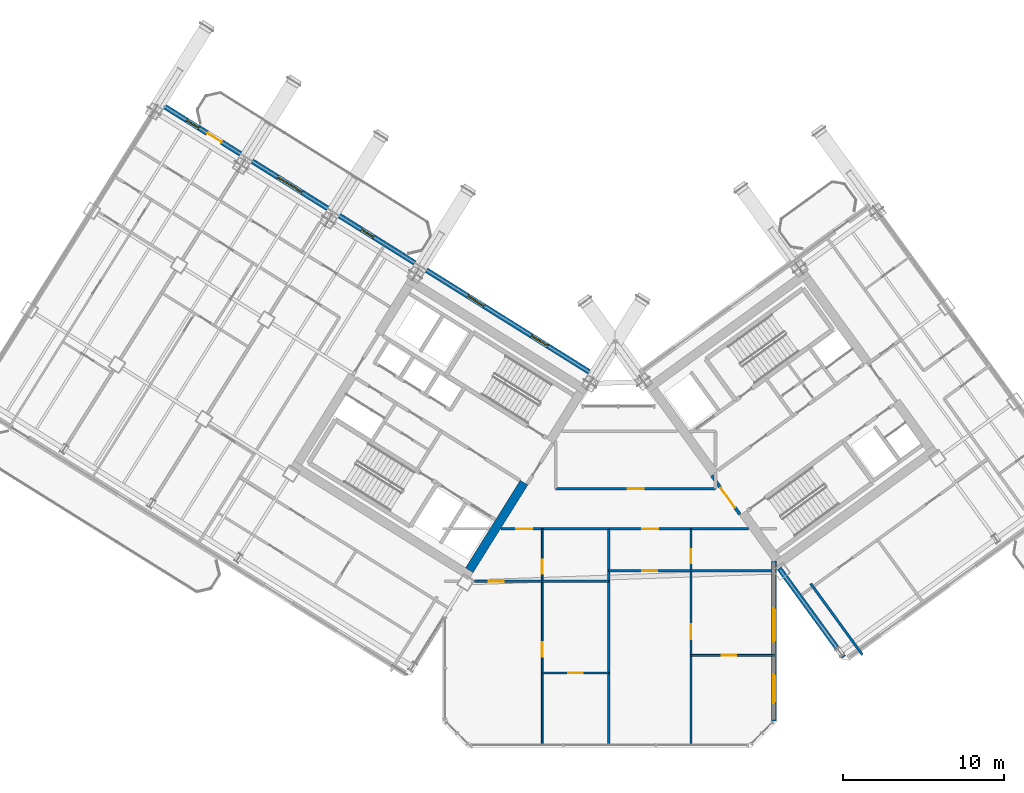
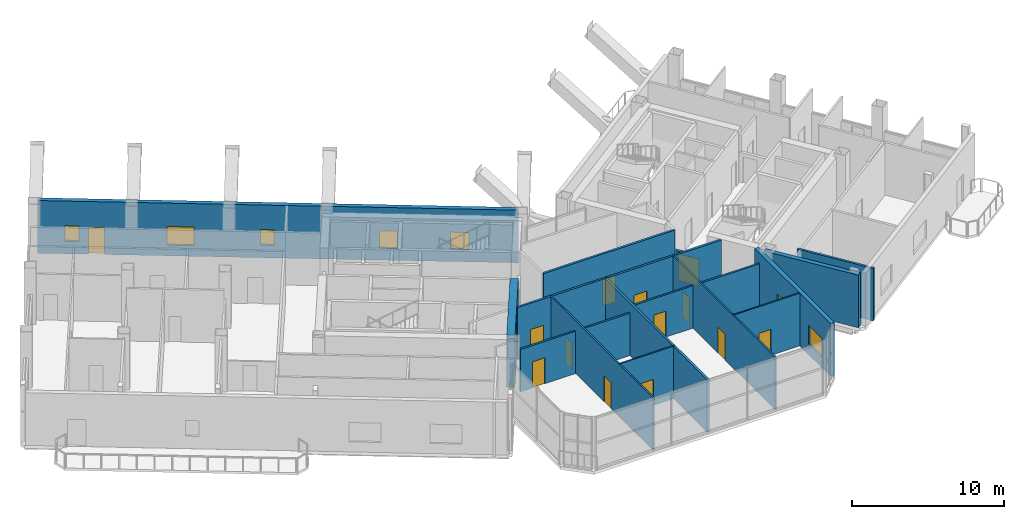
# One storey, part 24 of 34: 17 walls, 13 doors, 7 windows, 20 openings.
"""IFC4 building model written with IfcOpenShell, lengths in metres."""

from ifc_helpers import new_model, si_unit, direction, frame, frame_2d, origin, place, context, subcontext, project, spatial, rectangle, extrude, source, transform, mapped, material, layer, layer_set, type_object, element, fill, save


model = new_model("IFC4")

# Units and contexts
model_context = context("Model", 3, precision=1e-05, world=origin(), true_north=direction((0.0, 1.0)))
body_context = subcontext(model_context, "Body", "Model", "MODEL_VIEW")
ifc_project = project(units=[si_unit("LENGTHUNIT", "METRE"), si_unit("AREAUNIT", "SQUARE_METRE"), si_unit("VOLUMEUNIT", "CUBIC_METRE"), si_unit("PLANEANGLEUNIT", "RADIAN"), si_unit("MASSUNIT", "GRAM", prefix="KILO")], contexts=[model_context])

# Site, building, storey
site_placement = place(None, origin())
site = spatial("IfcSite", under=ifc_project, at=site_placement, CompositionType="ELEMENT")
building_placement = place(site_placement, origin())
building = spatial("IfcBuilding", under=site, at=building_placement, Name="Tlacorven Tower", CompositionType="ELEMENT")
storey_placement = place(building_placement, frame((0.0, 0.0, 174.89990234375)))
storey = spatial("IfcBuildingStorey", under=building, at=storey_placement, Name="L44", CompositionType="ELEMENT", Elevation=174.89990234375)

# Wall
ifc_material_1 = material(Name="Concrete C60/75", Category="concrete")
ifc_layer_1 = layer(ifc_material_1, 0.550048828125)
ifc_layer_set_1 = layer_set([ifc_layer_1], Name="Concrete C60/75")
wall_type_1 = type_object("IfcWallType", Name="WL-COR-550", PredefinedType="SHEAR", material=ifc_layer_set_1)
wall_1_placement = place(storey_placement, frame((36.683349609375, 18.30419921875, 0.0), z_axis=(0.0, 0.0, 1.0), x_axis=(-0.529896466841, -0.848062341122, 0.0)))
element("IfcWall", 1, at=wall_1_placement, inside=storey, type_object=wall_type_1, Name="L44 W core end wall E1.2", PredefinedType="SHEAR", context=body_context, shape_type="SweptSolid", body=[
    extrude(rectangle(XDim=6.4248046875, YDim=0.550048828125, at=frame_2d((3.21240234375, 0.0))), origin(), (0.0, 0.0, 1.0), 4.22021484375),
])

# Wall, openings, doors
ifc_material_2 = material(Name="Gypsum plasterboard acoustic partition", Category="gypsum")
ifc_layer_2 = layer(ifc_material_2, 0.159912109375)
ifc_layer_set_2 = layer_set([ifc_layer_2], Name="Gypsum plasterboard acoustic partition")
wall_type_2 = type_object("IfcWallType", Name="WL-DEM-160", PredefinedType="PARTITIONING", material=ifc_layer_set_2)
wall_2_placement = place(storey_placement, frame((35.2373046875, 15.419921875, 0.0), z_axis=(0.0, 0.0, 1.0), x_axis=(1.0, 0.0, 0.0)))
wall_2 = element("IfcWall", 2, at=wall_2_placement, inside=storey, type_object=wall_type_2, Name="L44 Knuckle Corridor South Wall", PredefinedType="PARTITIONING", context=body_context, shape_type="SweptSolid", body=[
    extrude(rectangle(XDim=15.431640625, YDim=0.159912109375, at=frame_2d((7.7158203125, 0.0))), origin(), (0.0, 0.0, 1.0), 4.210205078125),
])
opening_1_placement = place(wall_2_placement, frame((0.968994140625, 0.0, 0.0)))
opening_1 = element("IfcOpeningElement", 3, at=opening_1_placement, cuts=wall_2, Name="Opening D11", PredefinedType="OPENING", context=body_context, shape_type="SweptSolid", body=[
    extrude(rectangle(XDim=1.0, YDim=2.10009765625, at=frame_2d((0.5, 1.050048828125))), frame((0.0, 0.08984375, 0.0), z_axis=(0.0, -1.0, 0.0), x_axis=(1.0, 0.0, 0.0)), (0.0, 0.0, 1.0), 0.179931640625),
])
opening_2_placement = place(wall_2_placement, frame((8.798583984375, 0.0, 0.0)))
opening_2 = element("IfcOpeningElement", 4, at=opening_2_placement, cuts=wall_2, Name="Opening D11", PredefinedType="OPENING", context=body_context, shape_type="SweptSolid", body=[
    extrude(rectangle(XDim=1.0, YDim=2.10009765625, at=frame_2d((0.5, 1.050048828125))), frame((0.0, 0.08984375, 0.0), z_axis=(0.0, -1.0, 0.0), x_axis=(1.0, 0.0, 0.0)), (0.0, 0.0, 1.0), 0.179931640625),
])
ifc_material_3 = material(Name="Fire-rated steel door assembly", Category="steel")
door_type_1 = type_object("IfcDoorType", Name="DR-FLT-FD60-1000", OperationType="NOTDEFINED", PredefinedType="DOOR", material=ifc_material_3)
shared_shape_1 = source(origin(), body_context, "Body", "SweptSolid", [
    extrude(rectangle(XDim=1.0, YDim=2.10009765625, at=frame_2d((0.5, 1.050048828125))), frame((0.0, 0.02490234375, 0.0), z_axis=(0.0, -1.0, 0.0), x_axis=(1.0, 0.0, 0.0)), (0.0, 0.0, 1.0), 0.050048828125),
])
door_1_placement = place(opening_1_placement, frame((1.0, 0.0, 0.0), z_axis=(0.0, 0.0, 1.0), x_axis=(-1.0, 0.0, 0.0)))
door_1 = element("IfcDoor", 5, at=door_1_placement, inside=storey, type_object=door_type_1, Name="L44 door 047", OperationType="SINGLE_SWING_RIGHT", OverallHeight=2.10009765625, OverallWidth=1.0, PredefinedType="DOOR", context=body_context, shape_type="MappedRepresentation", body=[
    mapped(shared_shape_1, transform((0.0, 0.0, 0.0), scale=1.0)),
])
fill(opening_1, door_1)
door_2_placement = place(opening_2_placement, frame((1.0, 0.0, 0.0), z_axis=(0.0, 0.0, 1.0), x_axis=(-1.0, 0.0, 0.0)))
door_2 = element("IfcDoor", 6, at=door_2_placement, inside=storey, type_object=door_type_1, Name="L44 door 052", OperationType="SINGLE_SWING_LEFT", OverallHeight=2.10009765625, OverallWidth=1.0, PredefinedType="DOOR", context=body_context, shape_type="MappedRepresentation", body=[
    mapped(shared_shape_1, transform((0.0, 0.0, 0.0), scale=1.0)),
])
fill(opening_2, door_2)

# Wall, opening, door
wall_3_placement = place(storey_placement, frame((38.64990234375, 17.929931640625, 0.0), z_axis=(0.0, 0.0, 1.0), x_axis=(1.0, 0.0, 0.0)))
wall_3 = element("IfcWall", 7, at=wall_3_placement, inside=storey, type_object=wall_type_2, Name="L44 partition 71", PredefinedType="PARTITIONING", context=body_context, shape_type="SweptSolid", body=[
    extrude(rectangle(XDim=9.9501953125, YDim=0.159912109375, at=frame_2d((4.97509765625, 0.0))), origin(), (0.0, 0.0, 1.0), 4.210205078125),
])
opening_3_placement = place(wall_3_placement, frame((4.47509765625, 0.0, 0.0)))
opening_3 = element("IfcOpeningElement", 8, at=opening_3_placement, cuts=wall_3, Name="Opening D11", PredefinedType="OPENING", context=body_context, shape_type="SweptSolid", body=[
    extrude(rectangle(XDim=1.0, YDim=2.10009765625, at=frame_2d((0.5, 1.050048828125))), frame((0.0, 0.08984375, 0.0), z_axis=(0.0, -1.0, 0.0), x_axis=(1.0, 0.0, 0.0)), (0.0, 0.0, 1.0), 0.179931640625),
])
door_3_placement = place(opening_3_placement, origin())
door_3 = element("IfcDoor", 9, at=door_3_placement, inside=storey, type_object=door_type_1, Name="L44 door 042", OperationType="SINGLE_SWING_LEFT", OverallHeight=2.10009765625, OverallWidth=1.0, PredefinedType="DOOR", context=body_context, shape_type="MappedRepresentation", body=[
    mapped(shared_shape_1, transform((0.0, 0.0, 0.0), scale=1.0)),
])
fill(opening_3, door_3)

# Walls
wall_4_placement = place(storey_placement, frame((41.949951171875, 1.9599609375, 0.0), z_axis=(0.0, 0.0, 1.0), x_axis=(0.0, 1.0, 0.0)))
element("IfcWall", 10, at=wall_4_placement, inside=storey, type_object=wall_type_2, Name="L44 Knuckle Demising Wall 1", PredefinedType="PARTITIONING", context=body_context, shape_type="SweptSolid", body=[
    extrude(rectangle(XDim=13.4599609375, YDim=0.159912109375, at=frame_2d((6.72998046875, 0.0))), origin(), (0.0, 0.0, 1.0), 4.210205078125),
])
wall_5_placement = place(storey_placement, frame((57.747314453125, 7.586181640625, 0.0), z_axis=(0.0, 0.0, 1.0), x_axis=(-0.587784893399, 0.809017255126, 0.0)))
element("IfcWall", 11, at=wall_5_placement, inside=storey, type_object=wall_type_2, Name="L44 EC West Throat Wall", PredefinedType="PARTITIONING", context=body_context, shape_type="SweptSolid", body=[
    extrude(rectangle(XDim=5.480224609375, YDim=0.159912109375, at=frame_2d((2.740234375, 0.0))), origin(), (0.0, 0.0, 1.0), 4.210205078125),
])

# Wall, openings, door, windows
ifc_material_4 = material(Name="Precast concrete C45/55", Category="concrete")
ifc_layer_3 = layer(ifc_material_4, 0.320068359375)
ifc_layer_set_3 = layer_set([ifc_layer_3], Name="Precast concrete C45/55")
wall_type_3 = type_object("IfcWallType", Name="WL-EXT-320", PredefinedType="STANDARD", material=ifc_layer_set_3)
wall_6_placement = place(storey_placement, frame((14.13818359375, 41.825439453125, 0.0), z_axis=(0.0, 0.0, 1.0), x_axis=(0.848046498049, -0.529921821731, 0.0)))
wall_6 = element("IfcWall", 12, at=wall_6_placement, inside=storey, type_object=wall_type_3, Name="L44 Masonry-Frame Recessed Facade Wall 3", PredefinedType="STANDARD", context=body_context, shape_type="SweptSolid", body=[
    extrude(rectangle(XDim=31.587646484375, YDim=0.320068359375, at=frame_2d((15.7939453125, 0.0))), origin(), (0.0, 0.0, 1.0), 4.22021484375),
])
opening_4_placement = place(wall_6_placement, frame((3.338623046875, 0.0, 0.0)))
opening_4 = element("IfcOpeningElement", 13, at=opening_4_placement, cuts=wall_6, Name="Opening D06", PredefinedType="OPENING", context=body_context, shape_type="SweptSolid", body=[
    extrude(rectangle(XDim=1.050048828125, YDim=2.14990234375, at=frame_2d((0.52490234375, 1.074951171875))), frame((0.0, 0.169921875, 0.0), z_axis=(0.0, -1.0, 0.0), x_axis=(1.0, 0.0, 0.0)), (0.0, 0.0, 1.0), 0.340087890625),
])
opening_5_placement = place(wall_6_placement, frame((1.818603515625, 0.0, 1.0)))
opening_5 = element("IfcOpeningElement", 14, at=opening_5_placement, cuts=wall_6, Name="Opening WN05", PredefinedType="OPENING", context=body_context, shape_type="SweptSolid", body=[
    extrude(rectangle(XDim=0.89990234375, YDim=1.25, at=frame_2d((0.449951171875, 0.625))), frame((0.0, 0.169921875, 0.0), z_axis=(0.0, -1.0, 0.0), x_axis=(1.0, 0.0, 0.0)), (0.0, 0.0, 1.0), 0.340087890625),
])
opening_6_placement = place(wall_6_placement, frame((8.49365234375, 0.0, 0.85009765625)))
opening_6 = element("IfcOpeningElement", 15, at=opening_6_placement, cuts=wall_6, Name="Opening WN01", PredefinedType="OPENING", context=body_context, shape_type="SweptSolid", body=[
    extrude(rectangle(XDim=1.800048828125, YDim=1.5, at=frame_2d((0.89990234375, 0.75))), frame((0.0, 0.169921875, 0.0), z_axis=(0.0, -1.0, 0.0), x_axis=(1.0, 0.0, 0.0)), (0.0, 0.0, 1.0), 0.340087890625),
])
opening_7_placement = place(wall_6_placement, frame((14.63623046875, 0.0, 1.0)))
opening_7 = element("IfcOpeningElement", 16, at=opening_7_placement, cuts=wall_6, Name="Opening WN05", PredefinedType="OPENING", context=body_context, shape_type="SweptSolid", body=[
    extrude(rectangle(XDim=0.89990234375, YDim=1.25, at=frame_2d((0.449951171875, 0.625))), frame((0.0, 0.169921875, 0.0), z_axis=(0.0, -1.0, 0.0), x_axis=(1.0, 0.0, 0.0)), (0.0, 0.0, 1.0), 0.340087890625),
])
opening_8_placement = place(wall_6_placement, frame((22.456298828125, 0.0, 0.949951171875)))
opening_8 = element("IfcOpeningElement", 17, at=opening_8_placement, cuts=wall_6, Name="Opening WN03", PredefinedType="OPENING", context=body_context, shape_type="SweptSolid", body=[
    extrude(rectangle(XDim=1.199951171875, YDim=1.39990234375, at=frame_2d((0.60009765625, 0.699951171875))), frame((0.0, 0.169921875, 0.0), z_axis=(0.0, -1.0, 0.0), x_axis=(1.0, 0.0, 0.0)), (0.0, 0.0, 1.0), 0.340087890625),
])
opening_9_placement = place(wall_6_placement, frame((27.131103515625, 0.0, 0.949951171875)))
opening_9 = element("IfcOpeningElement", 18, at=opening_9_placement, cuts=wall_6, Name="Opening WN03", PredefinedType="OPENING", context=body_context, shape_type="SweptSolid", body=[
    extrude(rectangle(XDim=1.199951171875, YDim=1.39990234375, at=frame_2d((0.60009765625, 0.699951171875))), frame((0.0, 0.169921875, 0.0), z_axis=(0.0, -1.0, 0.0), x_axis=(1.0, 0.0, 0.0)), (0.0, 0.0, 1.0), 0.340087890625),
])
ifc_material_5 = material(Name="Powder-coated aluminium and timber door", Category="wood")
door_type_2 = type_object("IfcDoorType", Name="DR-EXT-BALC-1050", OperationType="NOTDEFINED", PredefinedType="DOOR", material=ifc_material_5)
shared_shape_2 = source(origin(), body_context, "Body", "SweptSolid", [
    extrude(rectangle(XDim=1.050048828125, YDim=2.14990234375, at=frame_2d((0.52490234375, 1.074951171875))), frame((0.0, 0.02490234375, 0.0), z_axis=(0.0, -1.0, 0.0), x_axis=(1.0, 0.0, 0.0)), (0.0, 0.0, 1.0), 0.050048828125),
])
door_4_placement = place(opening_4_placement, origin())
door_4 = element("IfcDoor", 19, at=door_4_placement, inside=storey, type_object=door_type_2, Name="L44 Outdoor Access Door BAL-L44-W-IN", OperationType="SINGLE_SWING_RIGHT", OverallHeight=2.14990234375, OverallWidth=1.050048828125, PredefinedType="DOOR", context=body_context, shape_type="MappedRepresentation", body=[
    mapped(shared_shape_2, transform((0.0, 0.0, 0.0), scale=1.0)),
])
fill(opening_4, door_4)
ifc_material_6 = material(Name="Dark solar low-E double glazing in anodised aluminium frame", Category="aluminium")
window_type_1 = type_object("IfcWindowType", Name="WN-APT-1200X1500", PartitioningType="SINGLE_PANEL", PredefinedType="WINDOW", material=ifc_material_6)
shared_shape_3 = source(origin(), body_context, "Body", "SweptSolid", [
    extrude(rectangle(XDim=1.199951171875, YDim=1.39990234375, at=frame_2d((0.60009765625, 0.699951171875))), frame((0.0, 0.030029296875, 0.0), z_axis=(0.0, -1.0, 0.0), x_axis=(1.0, 0.0, 0.0)), (0.0, 0.0, 1.0), 0.06005859375),
])
window_1_placement = place(opening_8_placement, origin())
window_1 = element("IfcWindow", 20, at=window_1_placement, inside=storey, type_object=window_type_1, Name="L44 Recessed Masonry-Frame Window L44-03.4", OverallHeight=1.39990234375, OverallWidth=1.199951171875, PartitioningType="SINGLE_PANEL", PredefinedType="WINDOW", context=body_context, shape_type="MappedRepresentation", body=[
    mapped(shared_shape_3, transform((0.0, 0.0, 0.0), scale=1.0)),
])
fill(opening_8, window_1)
window_2_placement = place(opening_9_placement, origin())
window_2 = element("IfcWindow", 21, at=window_2_placement, inside=storey, type_object=window_type_1, Name="L44 Recessed Masonry-Frame Window L44-03.5", OverallHeight=1.39990234375, OverallWidth=1.199951171875, PartitioningType="SINGLE_PANEL", PredefinedType="WINDOW", context=body_context, shape_type="MappedRepresentation", body=[
    mapped(shared_shape_3, transform((0.0, 0.0, 0.0), scale=1.0)),
])
fill(opening_9, window_2)
window_type_2 = type_object("IfcWindowType", Name="WN-APT-1800X1650", PartitioningType="SINGLE_PANEL", PredefinedType="WINDOW", material=ifc_material_6)
shared_shape_4 = source(origin(), body_context, "Body", "SweptSolid", [
    extrude(rectangle(XDim=1.800048828125, YDim=1.5, at=frame_2d((0.89990234375, 0.75))), frame((0.0, 0.030029296875, 0.0), z_axis=(0.0, -1.0, 0.0), x_axis=(1.0, 0.0, 0.0)), (0.0, 0.0, 1.0), 0.06005859375),
])
window_3_placement = place(opening_6_placement, origin())
window_3 = element("IfcWindow", 22, at=window_3_placement, inside=storey, type_object=window_type_2, Name="L44 Recessed Masonry-Frame Window L44-03.2", OverallHeight=1.5, OverallWidth=1.800048828125, PartitioningType="SINGLE_PANEL", PredefinedType="WINDOW", context=body_context, shape_type="MappedRepresentation", body=[
    mapped(shared_shape_4, transform((0.0, 0.0, 0.0), scale=1.0)),
])
fill(opening_6, window_3)
window_type_3 = type_object("IfcWindowType", Name="WN-APT-0900X1350", PartitioningType="SINGLE_PANEL", PredefinedType="WINDOW", material=ifc_material_6)
shared_shape_5 = source(origin(), body_context, "Body", "SweptSolid", [
    extrude(rectangle(XDim=0.89990234375, YDim=1.25, at=frame_2d((0.449951171875, 0.625))), frame((0.0, 0.030029296875, 0.0), z_axis=(0.0, -1.0, 0.0), x_axis=(1.0, 0.0, 0.0)), (0.0, 0.0, 1.0), 0.06005859375),
])
window_4_placement = place(opening_5_placement, origin())
window_4 = element("IfcWindow", 23, at=window_4_placement, inside=storey, type_object=window_type_3, Name="L44 Recessed Masonry-Frame Window L44-03.1", OverallHeight=1.25, OverallWidth=0.89990234375, PartitioningType="SINGLE_PANEL", PredefinedType="WINDOW", context=body_context, shape_type="MappedRepresentation", body=[
    mapped(shared_shape_5, transform((0.0, 0.0, 0.0), scale=1.0)),
])
fill(opening_5, window_4)
window_5_placement = place(opening_7_placement, origin())
window_5 = element("IfcWindow", 24, at=window_5_placement, inside=storey, type_object=window_type_3, Name="L44 Recessed Masonry-Frame Window L44-03.3", OverallHeight=1.25, OverallWidth=0.89990234375, PartitioningType="SINGLE_PANEL", PredefinedType="WINDOW", context=body_context, shape_type="MappedRepresentation", body=[
    mapped(shared_shape_5, transform((0.0, 0.0, 0.0), scale=1.0)),
])
fill(opening_7, window_5)

# Wall
wall_7_placement = place(storey_placement, frame((56.5810546875, 7.43896484375, 0.0), z_axis=(0.0, 0.0, 1.0), x_axis=(-0.587771678454, 0.809026856172, 0.0)))
element("IfcWall", 25, at=wall_7_placement, inside=storey, type_object=wall_type_3, Name="L44 Masonry-Frame Recessed Facade Wall 7", PredefinedType="STANDARD", context=body_context, shape_type="SweptSolid", body=[
    extrude(rectangle(XDim=6.82373046875, YDim=0.320068359375, at=frame_2d((3.411865234375, 0.0))), origin(), (0.0, 0.0, 1.0), 4.22021484375),
])

# Wall, openings, windows
wall_8_placement = place(storey_placement, frame((52.239990234375, 13.4140625, 0.0), z_axis=(0.0, 0.0, 1.0), x_axis=(0.0, -1.0, 0.0)))
wall_8 = element("IfcWall", 26, at=wall_8_placement, inside=storey, type_object=wall_type_3, Name="L44 Masonry-Frame Recessed Facade Wall 8", PredefinedType="STANDARD", context=body_context, shape_type="SweptSolid", body=[
    extrude(rectangle(XDim=9.94775390625, YDim=0.320068359375, at=frame_2d((4.973876953125, 0.0))), origin(), (0.0, 0.0, 1.0), 4.22021484375),
])
opening_10_placement = place(wall_8_placement, frame((2.92041015625, 0.0, 0.800048828125)))
opening_10 = element("IfcOpeningElement", 27, at=opening_10_placement, cuts=wall_8, Name="Opening WN04", PredefinedType="OPENING", context=body_context, shape_type="SweptSolid", body=[
    extrude(rectangle(XDim=2.10009765625, YDim=1.550048828125, at=frame_2d((1.050048828125, 0.77490234375))), frame((0.0, 0.169921875, 0.0), z_axis=(0.0, -1.0, 0.0), x_axis=(1.0, 0.0, 0.0)), (0.0, 0.0, 1.0), 0.340087890625),
])
opening_11_placement = place(wall_8_placement, frame((7.033447265625, 0.0, 0.85009765625)))
opening_11 = element("IfcOpeningElement", 28, at=opening_11_placement, cuts=wall_8, Name="Opening WN01", PredefinedType="OPENING", context=body_context, shape_type="SweptSolid", body=[
    extrude(rectangle(XDim=1.800048828125, YDim=1.5, at=frame_2d((0.89990234375, 0.75))), frame((0.0, 0.169921875, 0.0), z_axis=(0.0, -1.0, 0.0), x_axis=(1.0, 0.0, 0.0)), (0.0, 0.0, 1.0), 0.340087890625),
])
window_type_4 = type_object("IfcWindowType", Name="WN-APT-2100X1750", PartitioningType="SINGLE_PANEL", PredefinedType="WINDOW", material=ifc_material_6)
shared_shape_6 = source(origin(), body_context, "Body", "SweptSolid", [
    extrude(rectangle(XDim=2.10009765625, YDim=1.550048828125, at=frame_2d((1.050048828125, 0.77490234375))), frame((0.0, 0.030029296875, 0.0), z_axis=(0.0, -1.0, 0.0), x_axis=(1.0, 0.0, 0.0)), (0.0, 0.0, 1.0), 0.06005859375),
])
window_6_placement = place(opening_10_placement, origin())
window_6 = element("IfcWindow", 29, at=window_6_placement, inside=storey, type_object=window_type_4, Name="L44 Recessed Masonry-Frame Window L44-08.1", OverallHeight=1.550048828125, OverallWidth=2.10009765625, PartitioningType="SINGLE_PANEL", PredefinedType="WINDOW", context=body_context, shape_type="MappedRepresentation", body=[
    mapped(shared_shape_6, transform((0.0, 0.0, 0.0), scale=1.0)),
])
fill(opening_10, window_6)
window_7_placement = place(opening_11_placement, origin())
window_7 = element("IfcWindow", 30, at=window_7_placement, inside=storey, type_object=window_type_2, Name="L44 Recessed Masonry-Frame Window L44-08.2", OverallHeight=1.5, OverallWidth=1.800048828125, PartitioningType="SINGLE_PANEL", PredefinedType="WINDOW", context=body_context, shape_type="MappedRepresentation", body=[
    mapped(shared_shape_4, transform((0.0, 0.0, 0.0), scale=1.0)),
])
fill(opening_11, window_7)

# Wall, openings, doors
ifc_material_7 = material(Name="Gypsum plasterboard partition", Category="gypsum")
ifc_layer_4 = layer(ifc_material_7, 0.110107421875)
ifc_layer_set_4 = layer_set([ifc_layer_4], Name="Gypsum plasterboard partition")
wall_type_4 = type_object("IfcWallType", Name="WL-INT-110", PredefinedType="PARTITIONING", material=ifc_layer_set_4)
wall_9_placement = place(storey_placement, frame((37.81298828125, 1.9599609375, 0.0), z_axis=(0.0, 0.0, 1.0), x_axis=(0.0, 1.0, 0.0)))
wall_9 = element("IfcWall", 31, at=wall_9_placement, inside=storey, type_object=wall_type_4, Name="L44 partition 77", PredefinedType="PARTITIONING", context=body_context, shape_type="SweptSolid", body=[
    extrude(rectangle(XDim=13.4599609375, YDim=0.110107421875, at=frame_2d((6.72998046875, 0.0))), origin(), (0.0, 0.0, 1.0), 4.210205078125),
])
opening_12_placement = place(wall_9_placement, frame((5.5, 0.0, 0.0)))
opening_12 = element("IfcOpeningElement", 32, at=opening_12_placement, cuts=wall_9, Name="Opening D12", PredefinedType="OPENING", context=body_context, shape_type="SweptSolid", body=[
    extrude(rectangle(XDim=0.919921875, YDim=2.080078125, at=frame_2d((0.4599609375, 1.0400390625))), frame((0.0, 0.06494140625, 0.0), z_axis=(0.0, -1.0, 0.0), x_axis=(1.0, 0.0, 0.0)), (0.0, 0.0, 1.0), 0.130126953125),
])
opening_13_placement = place(wall_9_placement, frame((10.669921875, 0.0, 0.0)))
opening_13 = element("IfcOpeningElement", 33, at=opening_13_placement, cuts=wall_9, Name="Opening D13", PredefinedType="OPENING", context=body_context, shape_type="SweptSolid", body=[
    extrude(rectangle(XDim=0.8798828125, YDim=2.080078125, at=frame_2d((0.43994140625, 1.0400390625))), frame((0.0, 0.06494140625, 0.0), z_axis=(0.0, -1.0, 0.0), x_axis=(1.0, 0.0, 0.0)), (0.0, 0.0, 1.0), 0.130126953125),
])
door_type_3 = type_object("IfcDoorType", Name="DR-INT-WET-0880", OperationType="NOTDEFINED", PredefinedType="DOOR", material=ifc_material_5)
shared_shape_7 = source(origin(), body_context, "Body", "SweptSolid", [
    extrude(rectangle(XDim=0.8798828125, YDim=2.080078125, at=frame_2d((0.43994140625, 1.0400390625))), frame((0.0, 0.02490234375, 0.0), z_axis=(0.0, -1.0, 0.0), x_axis=(1.0, 0.0, 0.0)), (0.0, 0.0, 1.0), 0.050048828125),
])
door_5_placement = place(opening_13_placement, origin())
door_5 = element("IfcDoor", 34, at=door_5_placement, inside=storey, type_object=door_type_3, Name="L44 door 049", OperationType="SINGLE_SWING_RIGHT", OverallHeight=2.080078125, OverallWidth=0.8798828125, PredefinedType="DOOR", context=body_context, shape_type="MappedRepresentation", body=[
    mapped(shared_shape_7, transform((0.0, 0.0, 0.0), scale=1.0)),
])
fill(opening_13, door_5)
door_type_4 = type_object("IfcDoorType", Name="DR-INT-ROOM-0920", OperationType="NOTDEFINED", PredefinedType="DOOR", material=ifc_material_5)
shared_shape_8 = source(origin(), body_context, "Body", "SweptSolid", [
    extrude(rectangle(XDim=0.919921875, YDim=2.080078125, at=frame_2d((0.4599609375, 1.0400390625))), frame((0.0, 0.02490234375, 0.0), z_axis=(0.0, -1.0, 0.0), x_axis=(1.0, 0.0, 0.0)), (0.0, 0.0, 1.0), 0.050048828125),
])
door_6_placement = place(opening_12_placement, origin())
door_6 = element("IfcDoor", 35, at=door_6_placement, inside=storey, type_object=door_type_4, Name="L44 door 045", OperationType="SINGLE_SWING_RIGHT", OverallHeight=2.080078125, OverallWidth=0.919921875, PredefinedType="DOOR", context=body_context, shape_type="MappedRepresentation", body=[
    mapped(shared_shape_8, transform((0.0, 0.0, 0.0), scale=1.0)),
])
fill(opening_12, door_6)

# Wall, opening, door
wall_10_placement = place(storey_placement, frame((37.81298828125, 6.449951171875, 0.0), z_axis=(0.0, 0.0, 1.0), x_axis=(1.0, 0.0, 0.0)))
wall_10 = element("IfcWall", 36, at=wall_10_placement, inside=storey, type_object=wall_type_4, Name="L44 partition 80", PredefinedType="PARTITIONING", context=body_context, shape_type="SweptSolid", body=[
    extrude(rectangle(XDim=4.136962890625, YDim=0.110107421875, at=frame_2d((2.068359375, 0.0))), origin(), (0.0, 0.0, 1.0), 4.210205078125),
])
opening_14_placement = place(wall_10_placement, frame((1.6083984375, 0.0, 0.0)))
opening_14 = element("IfcOpeningElement", 37, at=opening_14_placement, cuts=wall_10, Name="Opening D12", PredefinedType="OPENING", context=body_context, shape_type="SweptSolid", body=[
    extrude(rectangle(XDim=0.919921875, YDim=2.080078125, at=frame_2d((0.4599609375, 1.0400390625))), frame((0.0, 0.06494140625, 0.0), z_axis=(0.0, -1.0, 0.0), x_axis=(1.0, 0.0, 0.0)), (0.0, 0.0, 1.0), 0.130126953125),
])
door_7_placement = place(opening_14_placement, origin())
door_7 = element("IfcDoor", 38, at=door_7_placement, inside=storey, type_object=door_type_4, Name="L44 door 046", OperationType="SINGLE_SWING_LEFT", OverallHeight=2.080078125, OverallWidth=0.919921875, PredefinedType="DOOR", context=body_context, shape_type="MappedRepresentation", body=[
    mapped(shared_shape_8, transform((0.0, 0.0, 0.0), scale=1.0)),
])
fill(opening_14, door_7)

# Wall, openings, doors
wall_11_placement = place(storey_placement, frame((47.072021484375, 1.9599609375, 0.0), z_axis=(0.0, 0.0, 1.0), x_axis=(0.0, 1.0, 0.0)))
wall_11 = element("IfcWall", 39, at=wall_11_placement, inside=storey, type_object=wall_type_4, Name="L44 partition 81", PredefinedType="PARTITIONING", context=body_context, shape_type="SweptSolid", body=[
    extrude(rectangle(XDim=13.4599609375, YDim=0.110107421875, at=frame_2d((6.72998046875, 0.0))), origin(), (0.0, 0.0, 1.0), 4.210205078125),
])
opening_15_placement = place(wall_11_placement, frame((6.60009765625, 0.0, 0.0)))
opening_15 = element("IfcOpeningElement", 40, at=opening_15_placement, cuts=wall_11, Name="Opening D12", PredefinedType="OPENING", context=body_context, shape_type="SweptSolid", body=[
    extrude(rectangle(XDim=0.919921875, YDim=2.080078125, at=frame_2d((0.4599609375, 1.0400390625))), frame((0.0, 0.06494140625, 0.0), z_axis=(0.0, -1.0, 0.0), x_axis=(1.0, 0.0, 0.0)), (0.0, 0.0, 1.0), 0.130126953125),
])
opening_16_placement = place(wall_11_placement, frame((11.320068359375, 0.0, 0.0)))
opening_16 = element("IfcOpeningElement", 41, at=opening_16_placement, cuts=wall_11, Name="Opening D13", PredefinedType="OPENING", context=body_context, shape_type="SweptSolid", body=[
    extrude(rectangle(XDim=0.8798828125, YDim=2.080078125, at=frame_2d((0.43994140625, 1.0400390625))), frame((0.0, 0.06494140625, 0.0), z_axis=(0.0, -1.0, 0.0), x_axis=(1.0, 0.0, 0.0)), (0.0, 0.0, 1.0), 0.130126953125),
])
door_8_placement = place(opening_16_placement, origin())
door_8 = element("IfcDoor", 42, at=door_8_placement, inside=storey, type_object=door_type_3, Name="L44 door 054", OperationType="SINGLE_SWING_LEFT", OverallHeight=2.080078125, OverallWidth=0.8798828125, PredefinedType="DOOR", context=body_context, shape_type="MappedRepresentation", body=[
    mapped(shared_shape_7, transform((0.0, 0.0, 0.0), scale=1.0)),
])
fill(opening_16, door_8)
door_9_placement = place(opening_15_placement, origin())
door_9 = element("IfcDoor", 43, at=door_9_placement, inside=storey, type_object=door_type_4, Name="L44 door 050", OperationType="SINGLE_SWING_LEFT", OverallHeight=2.080078125, OverallWidth=0.919921875, PredefinedType="DOOR", context=body_context, shape_type="MappedRepresentation", body=[
    mapped(shared_shape_8, transform((0.0, 0.0, 0.0), scale=1.0)),
])
fill(opening_15, door_9)

# Wall, opening, door
wall_12_placement = place(storey_placement, frame((47.072021484375, 7.550048828125, 0.0), z_axis=(0.0, 0.0, 1.0), x_axis=(1.0, 0.0, 0.0)))
wall_12 = element("IfcWall", 44, at=wall_12_placement, inside=storey, type_object=wall_type_4, Name="L44 partition 84", PredefinedType="PARTITIONING", context=body_context, shape_type="SweptSolid", body=[
    extrude(rectangle(XDim=5.18798828125, YDim=0.110107421875, at=frame_2d((2.593994140625, 0.0))), origin(), (0.0, 0.0, 1.0), 4.210205078125),
])
opening_17_placement = place(wall_12_placement, frame((1.904052734375, 0.0, 0.0)))
opening_17 = element("IfcOpeningElement", 45, at=opening_17_placement, cuts=wall_12, Name="Opening D12", PredefinedType="OPENING", context=body_context, shape_type="SweptSolid", body=[
    extrude(rectangle(XDim=0.919921875, YDim=2.080078125, at=frame_2d((0.4599609375, 1.0400390625))), frame((0.0, 0.06494140625, 0.0), z_axis=(0.0, -1.0, 0.0), x_axis=(1.0, 0.0, 0.0)), (0.0, 0.0, 1.0), 0.130126953125),
])
door_10_placement = place(opening_17_placement, origin())
door_10 = element("IfcDoor", 46, at=door_10_placement, inside=storey, type_object=door_type_4, Name="L44 door 051", OperationType="SINGLE_SWING_RIGHT", OverallHeight=2.080078125, OverallWidth=0.919921875, PredefinedType="DOOR", context=body_context, shape_type="MappedRepresentation", body=[
    mapped(shared_shape_8, transform((0.0, 0.0, 0.0), scale=1.0)),
])
fill(opening_17, door_10)

ifc_material_8 = material(Name="Moisture-resistant gypsum plumbing wall", Category="gypsum")
ifc_layer_5 = layer(ifc_material_8, 0.139892578125)
ifc_layer_set_5 = layer_set([ifc_layer_5], Name="Moisture-resistant gypsum plumbing wall")
wall_type_5 = type_object("IfcWallType", Name="WL-PLM-140", PredefinedType="PLUMBINGWALL", material=ifc_layer_set_5)
wall_13_placement = place(storey_placement, frame((33.583984375, 12.169921875, 0.0), z_axis=(0.0, 0.0, 1.0), x_axis=(1.0, 0.0, 0.0)))
wall_13 = element("IfcWall", 47, at=wall_13_placement, inside=storey, type_object=wall_type_5, Name="L44 partition 78", PredefinedType="PLUMBINGWALL", context=body_context, shape_type="SweptSolid", body=[
    extrude(rectangle(XDim=4.22900390625, YDim=0.139892578125, at=frame_2d((2.114501953125, 0.0))), origin(), (0.0, 0.0, 1.0), 3.39501953125),
])
opening_18_placement = place(wall_13_placement, frame((0.91259765625, 0.0, 0.0)))
opening_18 = element("IfcOpeningElement", 48, at=opening_18_placement, cuts=wall_13, Name="Opening D12", PredefinedType="OPENING", context=body_context, shape_type="SweptSolid", body=[
    extrude(rectangle(XDim=0.919921875, YDim=2.080078125, at=frame_2d((0.4599609375, 1.0400390625))), frame((0.0, 0.080078125, 0.0), z_axis=(0.0, -1.0, 0.0), x_axis=(1.0, 0.0, 0.0)), (0.0, 0.0, 1.0), 0.159912109375),
])
door_11_placement = place(opening_18_placement, frame((0.919921875, 0.0, 0.0), z_axis=(0.0, 0.0, 1.0), x_axis=(-1.0, 0.0, 0.0)))
door_11 = element("IfcDoor", 49, at=door_11_placement, inside=storey, type_object=door_type_4, Name="L44 door 048", OperationType="SINGLE_SWING_LEFT", OverallHeight=2.080078125, OverallWidth=0.919921875, PredefinedType="DOOR", context=body_context, shape_type="MappedRepresentation", body=[
    mapped(shared_shape_8, transform((0.0, 0.0, 0.0), scale=1.0)),
])
fill(opening_18, door_11)

# Wall
wall_14_placement = place(storey_placement, frame((37.81298828125, 12.169921875, 0.0), z_axis=(0.0, 0.0, 1.0), x_axis=(1.0, 0.0, 0.0)))
element("IfcWall", 50, at=wall_14_placement, inside=storey, type_object=wall_type_5, Name="L44 partition 79", PredefinedType="PLUMBINGWALL", context=body_context, shape_type="SweptSolid", body=[
    extrude(rectangle(XDim=4.136962890625, YDim=0.139892578125, at=frame_2d((2.068359375, 0.0))), origin(), (0.0, 0.0, 1.0), 3.39501953125),
])

# Wall, opening, door
wall_15_placement = place(storey_placement, frame((41.949951171875, 12.820068359375, 0.0), z_axis=(0.0, 0.0, 1.0), x_axis=(1.0, 0.0, 0.0)))
wall_15 = element("IfcWall", 51, at=wall_15_placement, inside=storey, type_object=wall_type_5, Name="L44 partition 82", PredefinedType="PLUMBINGWALL", context=body_context, shape_type="SweptSolid", body=[
    extrude(rectangle(XDim=5.1220703125, YDim=0.139892578125, at=frame_2d((2.56103515625, 0.0))), origin(), (0.0, 0.0, 1.0), 3.39501953125),
])
opening_19_placement = place(wall_15_placement, frame((2.10107421875, 0.0, 0.0)))
opening_19 = element("IfcOpeningElement", 52, at=opening_19_placement, cuts=wall_15, Name="Opening D12", PredefinedType="OPENING", context=body_context, shape_type="SweptSolid", body=[
    extrude(rectangle(XDim=0.919921875, YDim=2.080078125, at=frame_2d((0.4599609375, 1.0400390625))), frame((0.0, 0.080078125, 0.0), z_axis=(0.0, -1.0, 0.0), x_axis=(1.0, 0.0, 0.0)), (0.0, 0.0, 1.0), 0.159912109375),
])
door_12_placement = place(opening_19_placement, frame((0.919921875, 0.0, 0.0), z_axis=(0.0, 0.0, 1.0), x_axis=(-1.0, 0.0, 0.0)))
door_12 = element("IfcDoor", 53, at=door_12_placement, inside=storey, type_object=door_type_4, Name="L44 door 053", OperationType="SINGLE_SWING_RIGHT", OverallHeight=2.080078125, OverallWidth=0.919921875, PredefinedType="DOOR", context=body_context, shape_type="MappedRepresentation", body=[
    mapped(shared_shape_8, transform((0.0, 0.0, 0.0), scale=1.0)),
])
fill(opening_19, door_12)

# Wall
wall_16_placement = place(storey_placement, frame((47.072021484375, 12.820068359375, 0.0), z_axis=(0.0, 0.0, 1.0), x_axis=(1.0, 0.0, 0.0)))
element("IfcWall", 54, at=wall_16_placement, inside=storey, type_object=wall_type_5, Name="L44 partition 83", PredefinedType="PLUMBINGWALL", context=body_context, shape_type="SweptSolid", body=[
    extrude(rectangle(XDim=5.09033203125, YDim=0.139892578125, at=frame_2d((2.545166015625, 0.0))), origin(), (0.0, 0.0, 1.0), 3.39501953125),
])

# Wall, opening, door
ifc_material_9 = material(Name="Concrete C40/50", Category="concrete")
ifc_layer_6 = layer(ifc_material_9, 0.199951171875)
ifc_layer_set_6 = layer_set([ifc_layer_6], Name="Concrete C40/50")
wall_type_6 = type_object("IfcWallType", Name="WL-SHF-200", PredefinedType="STANDARD", material=ifc_layer_set_6)
wall_17_placement = place(storey_placement, frame((50.119140625, 16.3330078125, 0.0), z_axis=(0.0, 0.0, 1.0), x_axis=(-0.587749856981, 0.809042709391, 0.0)))
wall_17 = element("IfcWall", 55, at=wall_17_placement, inside=storey, type_object=wall_type_6, Name="L44 partition 75", PredefinedType="STANDARD", context=body_context, shape_type="SweptSolid", body=[
    extrude(rectangle(XDim=2.9599609375, YDim=0.199951171875, at=frame_2d((1.47998046875, 0.0))), origin(), (0.0, 0.0, 1.0), 2.39501953125),
])
opening_20_placement = place(wall_17_placement, frame((0.530029296875, 0.0, 0.0)))
opening_20 = element("IfcOpeningElement", 56, at=opening_20_placement, cuts=wall_17, Name="Opening D10", PredefinedType="OPENING", context=body_context, shape_type="SweptSolid", body=[
    extrude(rectangle(XDim=1.5, YDim=2.14990234375, at=frame_2d((0.75, 1.074951171875))), frame((0.0, 0.10986328125, 0.0), z_axis=(0.0, -1.0, 0.0), x_axis=(1.0, 0.0, 0.0)), (0.0, 0.0, 1.0), 0.219970703125),
])
door_type_5 = type_object("IfcDoorType", Name="DR-LOB-FD60-1500", OperationType="DOUBLE_DOOR_SINGLE_SWING", PredefinedType="DOOR", material=ifc_material_3)
shared_shape_9 = source(origin(), body_context, "Body", "SweptSolid", [
    extrude(rectangle(XDim=1.5, YDim=2.14990234375, at=frame_2d((0.75, 1.074951171875))), frame((0.0, 0.02490234375, 0.0), z_axis=(0.0, -1.0, 0.0), x_axis=(1.0, 0.0, 0.0)), (0.0, 0.0, 1.0), 0.050048828125),
])
door_13_placement = place(opening_20_placement, frame((1.5, 0.0, 0.0), z_axis=(0.0, 0.0, 1.0), x_axis=(-1.0, 0.0, 0.0)))
door_13 = element("IfcDoor", 57, at=door_13_placement, inside=storey, type_object=door_type_5, Name="L44 door 044", OperationType="DOUBLE_DOOR_SINGLE_SWING", OverallHeight=2.14990234375, OverallWidth=1.5, PredefinedType="DOOR", context=body_context, shape_type="MappedRepresentation", body=[
    mapped(shared_shape_9, transform((0.0, 0.0, 0.0), scale=1.0)),
])
fill(opening_20, door_13)

save(model, "model.ifc")
